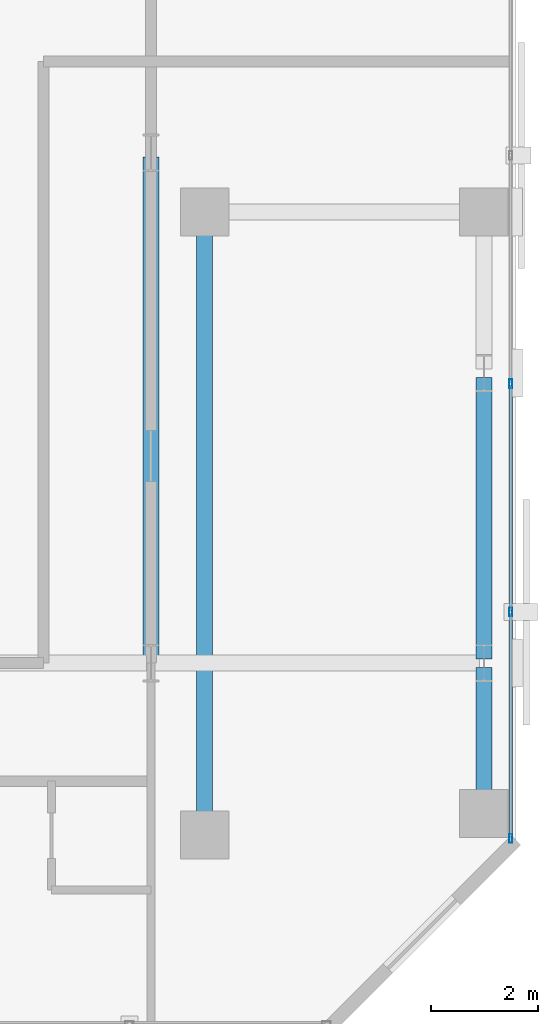
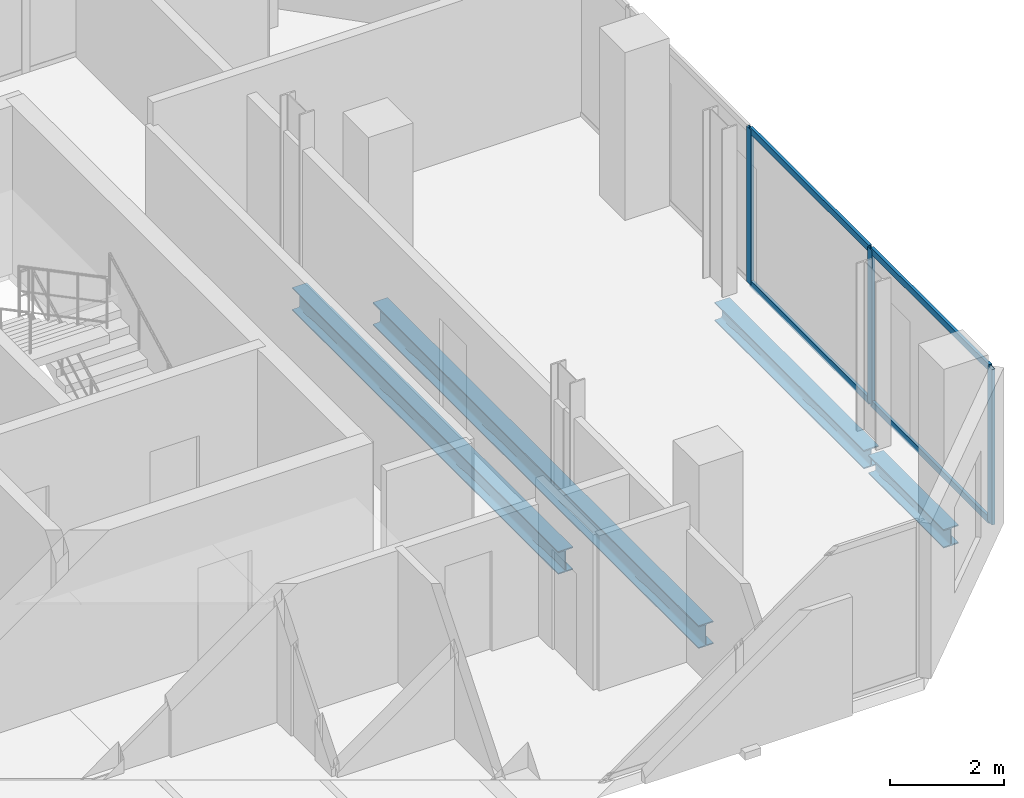
# One storey, part 16 of 35: 7 members, 4 beams, 1 element without a shape of its own.
"""IFC4 building model written with IfcOpenShell, lengths in metres."""

from ifc_helpers import new_model, si_unit, direction, frame, origin, origin_2d, place, context, subcontext, project, spatial, hollow_rectangle, i_section, extrude, material, layer, layer_set, material_profile, profile_set, type_object, element, aggregate, save


model = new_model("IFC4")

# Units and contexts
model_context = context("Model", 3, precision=1e-05, world=origin(), true_north=direction((0.0, 1.0)))
body_context = subcontext(model_context, "Body", "Model", "MODEL_VIEW")
ifc_project = project(units=[si_unit("LENGTHUNIT", "METRE"), si_unit("AREAUNIT", "SQUARE_METRE"), si_unit("VOLUMEUNIT", "CUBIC_METRE"), si_unit("PLANEANGLEUNIT", "RADIAN"), si_unit("MASSUNIT", "GRAM", prefix="KILO")], contexts=[model_context])

# Site, building, storey
site_placement = place(None, origin())
site = spatial("IfcSite", under=ifc_project, at=site_placement, CompositionType="ELEMENT")
building_placement = place(site_placement, origin())
building = spatial("IfcBuilding", under=site, at=building_placement, Name="Catumbela Crestline Tower", CompositionType="ELEMENT")
storey_placement = place(building_placement, frame((0.0, 0.0, 90.0)))
storey = spatial("IfcBuildingStorey", under=building, at=storey_placement, Name="L22", CompositionType="ELEMENT", Elevation=90.0)

# Beams
ifc_material_1 = material(Name="Structural steel S355J2", Category="steel")
ifc_material_profile_1 = material_profile(ifc_material_1, i_section(OverallWidth=0.3, OverallDepth=0.49, WebThickness=0.012, FlangeThickness=0.023, FilletRadius=0.027, at=origin_2d()), Name="HEA 500")
ifc_profile_set_1 = profile_set([ifc_material_profile_1], Name="Structural steel S355J2")
beam_type_1 = type_object("IfcBeamType", Name="BG-HEA500", PredefinedType="BEAM", material=ifc_profile_set_1)
beam_1_placement = place(storey_placement, frame((44.2, 30.88, -0.505), z_axis=(0.0, 1.0, 0.0), x_axis=(-1.0, 0.0, 0.0)))
element("IfcBeam", 1, at=beam_1_placement, inside=storey, type_object=beam_type_1, Name="L22 Beam BM-L22-SN32", PredefinedType="BEAM", context=body_context, shape_type="SweptSolid", body=[
    extrude(i_section(OverallWidth=0.3, OverallDepth=0.49, WebThickness=0.012, FlangeThickness=0.023, FilletRadius=0.027, at=origin_2d()), origin(), (0.0, 0.0, 1.0), 9.34),
])
beam_2_placement = place(storey_placement, frame((45.2, 27.68, -0.505), z_axis=(0.0, 1.0, 0.0), x_axis=(-1.0, 0.0, 0.0)))
element("IfcBeam", 2, at=beam_2_placement, inside=storey, type_object=beam_type_1, Name="L22 Beam BM-L22-SN33", PredefinedType="BEAM", context=body_context, shape_type="SweptSolid", body=[
    extrude(i_section(OverallWidth=0.3, OverallDepth=0.49, WebThickness=0.012, FlangeThickness=0.023, FilletRadius=0.027, at=origin_2d()), origin(), (0.0, 0.0, 1.0), 11.44),
])

# Curtain wall, members
ifc_material_2 = material(Name="Aluminium alloy AW-6060-T66", Category="aluminium")
ifc_layer = layer(ifc_material_2, 0.18, Name="Aluminium alloy AW-6060-T66")
ifc_layer_set = layer_set([ifc_layer], Name="Aluminium alloy AW-6060-T66")
curtain_wall_type = type_object("IfcCurtainWallType", Name="CWU-Z2", PredefinedType="USERDEFINED", material=ifc_layer_set)
curtain_wall_placement = place(storey_placement, origin())
curtain_wall = element("IfcCurtainWall", 3, at=curtain_wall_placement, inside=storey, type_object=curtain_wall_type, Name="L22 Unitised Curtain Wall CW-L22-E5S1", ObjectType="UNITISED", PredefinedType="USERDEFINED")
ifc_material_profile_2 = material_profile(ifc_material_2, hollow_rectangle(XDim=0.06, YDim=0.16, WallThickness=0.004, at=origin_2d()), Name="ALU 160x60x4")
ifc_profile_set_2 = profile_set([ifc_material_profile_2], Name="Aluminium alloy AW-6060-T66")
member_type_1 = type_object("IfcMemberType", Name="MUL-160X60", PredefinedType="MULLION", material=ifc_profile_set_2)
member_1_placement = place(storey_placement, frame((50.9, 27.5325, 0.0), z_axis=(0.0, 0.0, 1.0), x_axis=(-1.0, 0.0, 0.0)))
member_1 = element("IfcMember", 4, at=member_1_placement, type_object=member_type_1, Name="CWU-Z2 mullion 1", PredefinedType="MULLION", context=body_context, shape_type="SweptSolid", body=[
    extrude(hollow_rectangle(XDim=0.06, YDim=0.16, WallThickness=0.004, at=origin_2d()), origin(), (0.0, 0.0, 1.0), 3.33),
])
member_2_placement = place(storey_placement, frame((50.9, 31.75, 0.0), z_axis=(0.0, 0.0, 1.0), x_axis=(-1.0, 0.0, 0.0)))
member_2 = element("IfcMember", 5, at=member_2_placement, type_object=member_type_1, Name="CWU-Z2 mullion 2", PredefinedType="MULLION", context=body_context, shape_type="SweptSolid", body=[
    extrude(hollow_rectangle(XDim=0.06, YDim=0.16, WallThickness=0.004, at=origin_2d()), origin(), (0.0, 0.0, 1.0), 3.33),
])
member_3_placement = place(storey_placement, frame((50.9, 36.0, 0.0), z_axis=(0.0, 0.0, 1.0), x_axis=(-1.0, 0.0, 0.0)))
member_3 = element("IfcMember", 6, at=member_3_placement, type_object=member_type_1, Name="CWU-Z2 mullion 3", PredefinedType="MULLION", context=body_context, shape_type="SweptSolid", body=[
    extrude(hollow_rectangle(XDim=0.06, YDim=0.16, WallThickness=0.004, at=origin_2d()), origin(), (0.0, 0.0, 1.0), 3.33),
])

# Beams
ifc_material_profile_3 = material_profile(ifc_material_1, i_section(OverallWidth=0.3, OverallDepth=0.4, WebThickness=0.0135, FlangeThickness=0.024, FilletRadius=0.027, at=origin_2d()), Name="HEB 400")
ifc_profile_set_3 = profile_set([ifc_material_profile_3], Name="Structural steel S355J2")
beam_type_2 = type_object("IfcBeamType", Name="BS-HEB400", PredefinedType="SPANDREL", material=ifc_profile_set_3)
beam_3_placement = place(storey_placement, frame((50.4, 28.08, -0.46), z_axis=(0.0, 1.0, 0.0), x_axis=(-1.0, 0.0, 0.0)))
element("IfcBeam", 7, at=beam_3_placement, inside=storey, type_object=beam_type_2, Name="L22 Spandrel SP-L22-SN34", PredefinedType="SPANDREL", context=body_context, shape_type="SweptSolid", body=[
    extrude(i_section(OverallWidth=0.3, OverallDepth=0.4, WebThickness=0.0135, FlangeThickness=0.024, FilletRadius=0.027, at=origin_2d()), origin(), (0.0, 0.0, 1.0), 2.64),
])
beam_4_placement = place(storey_placement, frame((50.4, 30.88, -0.46), z_axis=(0.0, 1.0, 0.0), x_axis=(-1.0, 0.0, 0.0)))
element("IfcBeam", 8, at=beam_4_placement, inside=storey, type_object=beam_type_2, Name="L22 Spandrel SP-L22-SN35", PredefinedType="SPANDREL", context=body_context, shape_type="SweptSolid", body=[
    extrude(i_section(OverallWidth=0.3, OverallDepth=0.4, WebThickness=0.0135, FlangeThickness=0.024, FilletRadius=0.027, at=origin_2d()), origin(), (0.0, 0.0, 1.0), 5.24),
])

# Member
ifc_material_profile_4 = material_profile(ifc_material_2, hollow_rectangle(XDim=0.06, YDim=0.14, WallThickness=0.004, at=origin_2d()), Name="ALU 140x60x4")
ifc_profile_set_4 = profile_set([ifc_material_profile_4], Name="Aluminium alloy AW-6060-T66")
member_type_2 = type_object("IfcMemberType", Name="TRN-140X60", PredefinedType="USERDEFINED", material=ifc_profile_set_4)
member_4_placement = place(storey_placement, frame((50.9, 27.565, 0.03), z_axis=(0.0, 1.0, 0.0), x_axis=(-1.0, 0.0, 0.0)))
member_4 = element("IfcMember", 9, at=member_4_placement, type_object=member_type_2, Name="CWU-Z2 transom 1.1", ObjectType="TRANSOM", PredefinedType="USERDEFINED", context=body_context, shape_type="SweptSolid", body=[
    extrude(hollow_rectangle(XDim=0.06, YDim=0.14, WallThickness=0.004, at=origin_2d()), origin(), (0.0, 0.0, 1.0), 4.1525),
])

member_5_placement = place(storey_placement, frame((50.9, 27.565, 3.3), z_axis=(0.0, 1.0, 0.0), x_axis=(-1.0, 0.0, 0.0)))
member_5 = element("IfcMember", 10, at=member_5_placement, type_object=member_type_2, Name="CWU-Z2 transom 1.2", ObjectType="TRANSOM", PredefinedType="USERDEFINED", context=body_context, shape_type="SweptSolid", body=[
    extrude(hollow_rectangle(XDim=0.06, YDim=0.14, WallThickness=0.004, at=origin_2d()), origin(), (0.0, 0.0, 1.0), 4.1525),
])

member_6_placement = place(storey_placement, frame((50.9, 31.7825, 0.03), z_axis=(0.0, 1.0, 0.0), x_axis=(-1.0, 0.0, 0.0)))
member_6 = element("IfcMember", 11, at=member_6_placement, type_object=member_type_2, Name="CWU-Z2 transom 2.1", ObjectType="TRANSOM", PredefinedType="USERDEFINED", context=body_context, shape_type="SweptSolid", body=[
    extrude(hollow_rectangle(XDim=0.06, YDim=0.14, WallThickness=0.004, at=origin_2d()), origin(), (0.0, 0.0, 1.0), 4.185),
])

member_7_placement = place(storey_placement, frame((50.9, 31.7825, 3.3), z_axis=(0.0, 1.0, 0.0), x_axis=(-1.0, 0.0, 0.0)))
member_7 = element("IfcMember", 12, at=member_7_placement, type_object=member_type_2, Name="CWU-Z2 transom 2.2", ObjectType="TRANSOM", PredefinedType="USERDEFINED", context=body_context, shape_type="SweptSolid", body=[
    extrude(hollow_rectangle(XDim=0.06, YDim=0.14, WallThickness=0.004, at=origin_2d()), origin(), (0.0, 0.0, 1.0), 4.185),
])

aggregate(curtain_wall, [member_1, member_2, member_3, member_4, member_5, member_6, member_7])

save(model, "model.ifc")
